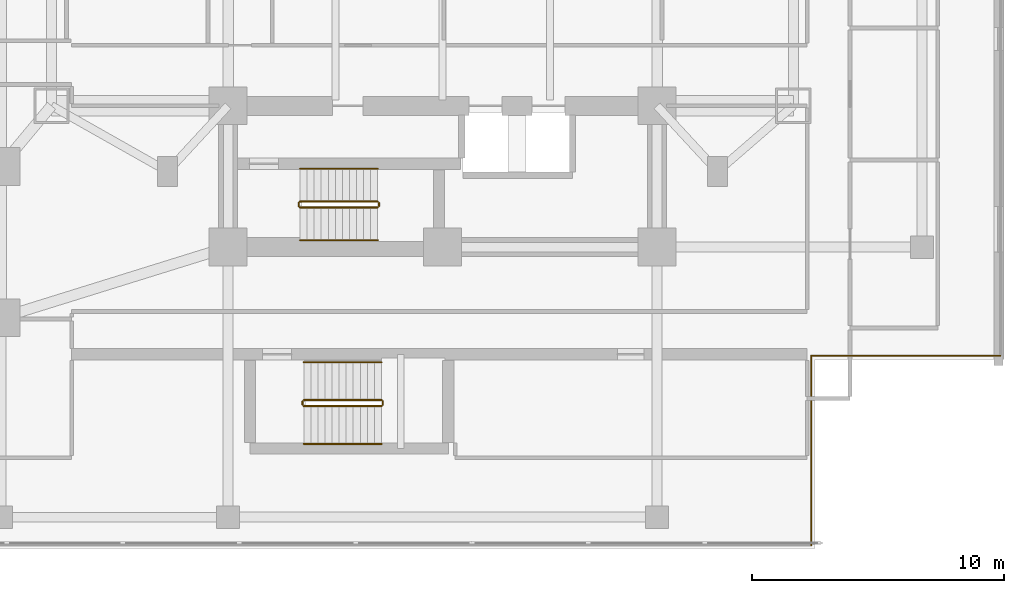
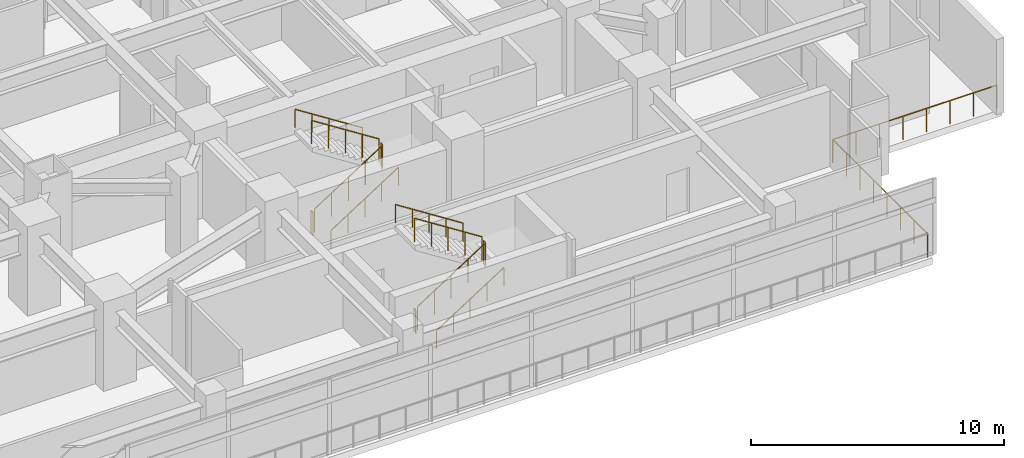
# One storey, part 24 of 26: 14 railings.
"""IFC4 building model written with IfcOpenShell, lengths in metres."""

from ifc_helpers import new_model, si_unit, direction, frame, origin, origin_2d, place, context, subcontext, project, spatial, circle, extrude, material, type_object, element, save


model = new_model("IFC4")

# Units and contexts
model_context = context("Model", 3, precision=1e-05, world=origin(), true_north=direction((0.0, 1.0)))
body_context = subcontext(model_context, "Body", "Model", "MODEL_VIEW")
ifc_project = project(units=[si_unit("LENGTHUNIT", "METRE"), si_unit("AREAUNIT", "SQUARE_METRE"), si_unit("VOLUMEUNIT", "CUBIC_METRE"), si_unit("PLANEANGLEUNIT", "RADIAN"), si_unit("MASSUNIT", "GRAM", prefix="KILO")], contexts=[model_context])

# Site, building, storey
site_placement = place(None, origin())
site = spatial("IfcSite", under=ifc_project, at=site_placement, CompositionType="ELEMENT")
building_placement = place(site_placement, origin())
building = spatial("IfcBuilding", under=site, at=building_placement, Name="Mirazonda Arch Towers", CompositionType="ELEMENT")
storey_placement = place(building_placement, frame((0.0, 0.0, 13.800048828125)))
storey = spatial("IfcBuildingStorey", under=building, at=storey_placement, Name="L03", CompositionType="ELEMENT", Elevation=13.800048828125)

# Railings
ifc_material = material(Name="Architectural Brushed Steel S355", Category="steel")
railing_type_1 = type_object("IfcRailingType", Name="GUARD-EXT-1150", PredefinedType="GUARDRAIL", material=ifc_material)
railing_1_placement = place(storey_placement, frame((91.110107421875, 3.389892578125, 0.0)))
element("IfcRailing", 1, at=railing_1_placement, inside=storey, type_object=railing_type_1, Name="L03 L03 Bridged Podium Perimeter Guard 02", PredefinedType="GUARDRAIL", context=body_context, shape_type="SweptSolid", body=[
    extrude(circle(Radius=0.02392578125, at=origin_2d()), frame((0.0, 0.0, 1.1259765625), z_axis=(0.0, 1.0, 0.0), x_axis=(-1.0, 0.0, 0.0)), (0.0, 0.0, 1.0), 7.5),
    extrude(circle(Radius=0.02099609375, at=origin_2d()), origin(), (0.0, 0.0, 1.0), 1.101806640625),
    extrude(circle(Radius=0.02099609375, at=origin_2d()), frame((0.0, 1.071533203125, 0.0)), (0.0, 0.0, 1.0), 1.101806640625),
    extrude(circle(Radius=0.02099609375, at=origin_2d()), frame((0.0, 2.142822265625, 0.0)), (0.0, 0.0, 1.0), 1.101806640625),
    extrude(circle(Radius=0.02099609375, at=origin_2d()), frame((0.0, 3.21435546875, 0.0)), (0.0, 0.0, 1.0), 1.101806640625),
    extrude(circle(Radius=0.02099609375, at=origin_2d()), frame((0.0, 4.28564453125, 0.0)), (0.0, 0.0, 1.0), 1.101806640625),
    extrude(circle(Radius=0.02099609375, at=origin_2d()), frame((0.0, 5.357177734375, 0.0)), (0.0, 0.0, 1.0), 1.101806640625),
    extrude(circle(Radius=0.02099609375, at=origin_2d()), frame((0.0, 6.428466796875, 0.0)), (0.0, 0.0, 1.0), 1.101806640625),
    extrude(circle(Radius=0.02099609375, at=origin_2d()), frame((0.0, 7.5, 0.0)), (0.0, 0.0, 1.0), 1.101806640625),
])
railing_2_placement = place(storey_placement, frame((91.110107421875, 10.889892578125, 0.0)))
element("IfcRailing", 2, at=railing_2_placement, inside=storey, type_object=railing_type_1, Name="L03 L03 Bridged Podium Perimeter Guard 03", PredefinedType="GUARDRAIL", context=body_context, shape_type="SweptSolid", body=[
    extrude(circle(Radius=0.02392578125, at=origin_2d()), frame((0.0, 0.0, 1.1259765625), z_axis=(1.0, 0.0, 0.0), x_axis=(0.0, 1.0, 0.0)), (0.0, 0.0, 1.0), 7.5),
    extrude(circle(Radius=0.02099609375, at=origin_2d()), origin(), (0.0, 0.0, 1.0), 1.101806640625),
    extrude(circle(Radius=0.02099609375, at=origin_2d()), frame((1.071533203125, 0.0, 0.0)), (0.0, 0.0, 1.0), 1.101806640625),
    extrude(circle(Radius=0.02099609375, at=origin_2d()), frame((2.142822265625, 0.0, 0.0)), (0.0, 0.0, 1.0), 1.101806640625),
    extrude(circle(Radius=0.02099609375, at=origin_2d()), frame((3.21435546875, 0.0, 0.0)), (0.0, 0.0, 1.0), 1.101806640625),
    extrude(circle(Radius=0.02099609375, at=origin_2d()), frame((4.28564453125, 0.0, 0.0)), (0.0, 0.0, 1.0), 1.101806640625),
    extrude(circle(Radius=0.02099609375, at=origin_2d()), frame((5.357177734375, 0.0, 0.0)), (0.0, 0.0, 1.0), 1.101806640625),
    extrude(circle(Radius=0.02099609375, at=origin_2d()), frame((6.428466796875, 0.0, 0.0)), (0.0, 0.0, 1.0), 1.101806640625),
    extrude(circle(Radius=0.02099609375, at=origin_2d()), frame((7.5, 0.0, 0.0)), (0.0, 0.0, 1.0), 1.101806640625),
])
railing_type_2 = type_object("IfcRailingType", Name="GUARD-STAIR-1120", PredefinedType="GUARDRAIL", material=ifc_material)
railing_3_placement = place(storey_placement, frame((70.85009765625, 16.77001953125, 0.17919921875)))
element("IfcRailing", 3, at=railing_3_placement, inside=storey, type_object=railing_type_2, Name="L03 ST-T2S stair guard 1", PredefinedType="GUARDRAIL", context=body_context, shape_type="SweptSolid", body=[
    extrude(circle(Radius=0.02392578125, at=origin_2d()), frame((0.0, 0.0, 1.1259765625), z_axis=(0.842319903074, 0.0, 0.538977903893), x_axis=(0.0, 1.0, 0.0)), (0.0, 0.0, 1.0), 3.65625),
    extrude(circle(Radius=0.02099609375, at=origin_2d()), origin(), (0.0, 0.0, 1.0), 1.101806640625),
    extrude(circle(Radius=0.02099609375, at=origin_2d()), frame((0.77001953125, 0.0, 0.49267578125)), (0.0, 0.0, 1.0), 1.101806640625),
    extrude(circle(Radius=0.02099609375, at=origin_2d()), frame((1.5400390625, 0.0, 0.9853515625)), (0.0, 0.0, 1.0), 1.101806640625),
    extrude(circle(Radius=0.02099609375, at=origin_2d()), frame((2.309814453125, 0.0, 1.47802734375)), (0.0, 0.0, 1.0), 1.101806640625),
    extrude(circle(Radius=0.02099609375, at=origin_2d()), frame((3.079833984375, 0.0, 1.970703125)), (0.0, 0.0, 1.0), 1.101806640625),
])
railing_4_placement = place(storey_placement, frame((73.97998046875, 16.820068359375, 2.14990234375)))
element("IfcRailing", 4, at=railing_4_placement, inside=storey, type_object=railing_type_2, Name="L03 ST-T2S stair guard 2", PredefinedType="GUARDRAIL", context=body_context, shape_type="SweptSolid", body=[
    extrude(circle(Radius=0.02392578125, at=origin_2d()), frame((0.0, 0.0, 1.1259765625), z_axis=(0.0, 1.0, 0.0), x_axis=(-1.0, 0.0, 0.0)), (0.0, 0.0, 1.0), 0.139892578125),
    extrude(circle(Radius=0.02099609375, at=origin_2d()), origin(), (0.0, 0.0, 1.0), 1.101806640625),
    extrude(circle(Radius=0.02099609375, at=origin_2d()), frame((0.0, 0.139892578125, 0.0)), (0.0, 0.0, 1.0), 1.101806640625),
])
railing_5_placement = place(storey_placement, frame((73.929931640625, 17.010009765625, 2.3291015625)))
element("IfcRailing", 5, at=railing_5_placement, inside=storey, type_object=railing_type_2, Name="L03 ST-T2S stair guard 3", PredefinedType="GUARDRAIL", context=body_context, shape_type="SweptSolid", body=[
    extrude(circle(Radius=0.02392578125, at=origin_2d()), frame((0.0, 0.0, 1.1259765625), z_axis=(-0.842289589211, 0.0, 0.539025275759), x_axis=(0.0, -1.0, 0.0)), (0.0, 0.0, 1.0), 3.656494140625),
    extrude(circle(Radius=0.02099609375, at=origin_2d()), origin(), (0.0, 0.0, 1.0), 1.101806640625),
    extrude(circle(Radius=0.02099609375, at=origin_2d()), frame((-0.77001953125, 0.0, 0.49267578125)), (0.0, 0.0, 1.0), 1.101806640625),
    extrude(circle(Radius=0.02099609375, at=origin_2d()), frame((-1.5400390625, 0.0, 0.9853515625)), (0.0, 0.0, 1.0), 1.101806640625),
    extrude(circle(Radius=0.02099609375, at=origin_2d()), frame((-2.309814453125, 0.0, 1.478271484375)), (0.0, 0.0, 1.0), 1.101806640625),
    extrude(circle(Radius=0.02099609375, at=origin_2d()), frame((-3.079833984375, 0.0, 1.970947265625)), (0.0, 0.0, 1.0), 1.101806640625),
])
railing_6_placement = place(storey_placement, frame((70.800048828125, 16.820068359375, 0.0)))
element("IfcRailing", 6, at=railing_6_placement, inside=storey, type_object=railing_type_2, Name="L03 ST-T2S stair guard 4", PredefinedType="GUARDRAIL", context=body_context, shape_type="SweptSolid", body=[
    extrude(circle(Radius=0.02392578125, at=origin_2d()), frame((0.0, 0.0, 1.1259765625), z_axis=(0.0, 1.0, 0.0), x_axis=(-1.0, 0.0, 0.0)), (0.0, 0.0, 1.0), 0.139892578125),
    extrude(circle(Radius=0.02099609375, at=origin_2d()), origin(), (0.0, 0.0, 1.0), 1.101806640625),
    extrude(circle(Radius=0.02099609375, at=origin_2d()), frame((0.0, 0.139892578125, 0.0)), (0.0, 0.0, 1.0), 1.101806640625),
])
railing_7_placement = place(storey_placement, frame((71.0, 8.89990234375, 0.17919921875)))
element("IfcRailing", 7, at=railing_7_placement, inside=storey, type_object=railing_type_2, Name="L03 ST-POD2 stair guard 1", PredefinedType="GUARDRAIL", context=body_context, shape_type="SweptSolid", body=[
    extrude(circle(Radius=0.02392578125, at=origin_2d()), frame((0.0, 0.0, 1.1259765625), z_axis=(0.842339298311, 0.0, 0.538947591627), x_axis=(0.0, 1.0, 0.0)), (0.0, 0.0, 1.0), 3.656494140625),
    extrude(circle(Radius=0.02099609375, at=origin_2d()), origin(), (0.0, 0.0, 1.0), 1.101806640625),
    extrude(circle(Radius=0.02099609375, at=origin_2d()), frame((0.77001953125, 0.0, 0.49267578125)), (0.0, 0.0, 1.0), 1.101806640625),
    extrude(circle(Radius=0.02099609375, at=origin_2d()), frame((1.5400390625, 0.0, 0.9853515625)), (0.0, 0.0, 1.0), 1.101806640625),
    extrude(circle(Radius=0.02099609375, at=origin_2d()), frame((2.31005859375, 0.0, 1.47802734375)), (0.0, 0.0, 1.0), 1.101806640625),
    extrude(circle(Radius=0.02099609375, at=origin_2d()), frame((3.080078125, 0.0, 1.970703125)), (0.0, 0.0, 1.0), 1.101806640625),
])
railing_8_placement = place(storey_placement, frame((74.1298828125, 8.949951171875, 2.14990234375)))
element("IfcRailing", 8, at=railing_8_placement, inside=storey, type_object=railing_type_2, Name="L03 ST-POD2 stair guard 2", PredefinedType="GUARDRAIL", context=body_context, shape_type="SweptSolid", body=[
    extrude(circle(Radius=0.02392578125, at=origin_2d()), frame((0.0, 0.0, 1.1259765625), z_axis=(0.0, 1.0, 0.0), x_axis=(-1.0, 0.0, 0.0)), (0.0, 0.0, 1.0), 0.14013671875),
    extrude(circle(Radius=0.02099609375, at=origin_2d()), origin(), (0.0, 0.0, 1.0), 1.101806640625),
    extrude(circle(Radius=0.02099609375, at=origin_2d()), frame((0.0, 0.14013671875, 0.0)), (0.0, 0.0, 1.0), 1.101806640625),
])
railing_9_placement = place(storey_placement, frame((74.080078125, 9.139892578125, 2.3291015625)))
element("IfcRailing", 9, at=railing_9_placement, inside=storey, type_object=railing_type_2, Name="L03 ST-POD2 stair guard 3", PredefinedType="GUARDRAIL", context=body_context, shape_type="SweptSolid", body=[
    extrude(circle(Radius=0.02392578125, at=origin_2d()), frame((0.0, 0.0, 1.1259765625), z_axis=(-0.842308987159, 0.0, 0.53899496301), x_axis=(0.0, -1.0, 0.0)), (0.0, 0.0, 1.0), 3.65673828125),
    extrude(circle(Radius=0.02099609375, at=origin_2d()), origin(), (0.0, 0.0, 1.0), 1.101806640625),
    extrude(circle(Radius=0.02099609375, at=origin_2d()), frame((-0.77001953125, 0.0, 0.49267578125)), (0.0, 0.0, 1.0), 1.101806640625),
    extrude(circle(Radius=0.02099609375, at=origin_2d()), frame((-1.5400390625, 0.0, 0.9853515625)), (0.0, 0.0, 1.0), 1.101806640625),
    extrude(circle(Radius=0.02099609375, at=origin_2d()), frame((-2.31005859375, 0.0, 1.478271484375)), (0.0, 0.0, 1.0), 1.101806640625),
    extrude(circle(Radius=0.02099609375, at=origin_2d()), frame((-3.080078125, 0.0, 1.970947265625)), (0.0, 0.0, 1.0), 1.101806640625),
])
railing_10_placement = place(storey_placement, frame((70.949951171875, 8.949951171875, 0.0)))
element("IfcRailing", 10, at=railing_10_placement, inside=storey, type_object=railing_type_2, Name="L03 ST-POD2 stair guard 4", PredefinedType="GUARDRAIL", context=body_context, shape_type="SweptSolid", body=[
    extrude(circle(Radius=0.02392578125, at=origin_2d()), frame((0.0, 0.0, 1.1259765625), z_axis=(0.0, 1.0, 0.0), x_axis=(-1.0, 0.0, 0.0)), (0.0, 0.0, 1.0), 0.14013671875),
    extrude(circle(Radius=0.02099609375, at=origin_2d()), origin(), (0.0, 0.0, 1.0), 1.101806640625),
    extrude(circle(Radius=0.02099609375, at=origin_2d()), frame((0.0, 0.14013671875, 0.0)), (0.0, 0.0, 1.0), 1.101806640625),
])
railing_type_3 = type_object("IfcRailingType", Name="HANDRAIL-915", PredefinedType="HANDRAIL", material=ifc_material)
railing_11_placement = place(storey_placement, frame((70.85009765625, 15.469970703125, 0.17919921875)))
element("IfcRailing", 11, at=railing_11_placement, inside=storey, type_object=railing_type_3, Name="L03 ST-T2S stair handrail 1", PredefinedType="HANDRAIL", context=body_context, shape_type="SweptSolid", body=[
    extrude(circle(Radius=0.02392578125, at=origin_2d()), frame((0.0, 0.0, 0.8759765625), z_axis=(0.842319903074, 0.0, 0.538977903893), x_axis=(0.0, 1.0, 0.0)), (0.0, 0.0, 1.0), 3.65625),
    extrude(circle(Radius=0.02099609375, at=origin_2d()), origin(), (0.0, 0.0, 1.0), 0.851806640625),
    extrude(circle(Radius=0.02099609375, at=origin_2d()), frame((0.77001953125, 0.0, 0.49267578125)), (0.0, 0.0, 1.0), 0.851806640625),
    extrude(circle(Radius=0.02099609375, at=origin_2d()), frame((1.5400390625, 0.0, 0.9853515625)), (0.0, 0.0, 1.0), 0.851806640625),
    extrude(circle(Radius=0.02099609375, at=origin_2d()), frame((2.309814453125, 0.0, 1.47802734375)), (0.0, 0.0, 1.0), 0.851806640625),
    extrude(circle(Radius=0.02099609375, at=origin_2d()), frame((3.079833984375, 0.0, 1.970703125)), (0.0, 0.0, 1.0), 0.851806640625),
])
railing_12_placement = place(storey_placement, frame((73.929931640625, 18.31005859375, 2.3291015625)))
element("IfcRailing", 12, at=railing_12_placement, inside=storey, type_object=railing_type_3, Name="L03 ST-T2S stair handrail 2", PredefinedType="HANDRAIL", context=body_context, shape_type="SweptSolid", body=[
    extrude(circle(Radius=0.02392578125, at=origin_2d()), frame((0.0, 0.0, 0.8759765625), z_axis=(-0.842289589211, 0.0, 0.539025275759), x_axis=(0.0, -1.0, 0.0)), (0.0, 0.0, 1.0), 3.656494140625),
    extrude(circle(Radius=0.02099609375, at=origin_2d()), origin(), (0.0, 0.0, 1.0), 0.851806640625),
    extrude(circle(Radius=0.02099609375, at=origin_2d()), frame((-0.77001953125, 0.0, 0.49267578125)), (0.0, 0.0, 1.0), 0.851806640625),
    extrude(circle(Radius=0.02099609375, at=origin_2d()), frame((-1.5400390625, 0.0, 0.9853515625)), (0.0, 0.0, 1.0), 0.851806640625),
    extrude(circle(Radius=0.02099609375, at=origin_2d()), frame((-2.309814453125, 0.0, 1.478271484375)), (0.0, 0.0, 1.0), 0.851806640625),
    extrude(circle(Radius=0.02099609375, at=origin_2d()), frame((-3.079833984375, 0.0, 1.970947265625)), (0.0, 0.0, 1.0), 0.851806640625),
])
railing_13_placement = place(storey_placement, frame((71.0, 7.39990234375, 0.17919921875)))
element("IfcRailing", 13, at=railing_13_placement, inside=storey, type_object=railing_type_3, Name="L03 ST-POD2 stair handrail 1", PredefinedType="HANDRAIL", context=body_context, shape_type="SweptSolid", body=[
    extrude(circle(Radius=0.02392578125, at=origin_2d()), frame((0.0, 0.0, 0.8759765625), z_axis=(0.842339298311, 0.0, 0.538947591627), x_axis=(0.0, 1.0, 0.0)), (0.0, 0.0, 1.0), 3.656494140625),
    extrude(circle(Radius=0.02099609375, at=origin_2d()), origin(), (0.0, 0.0, 1.0), 0.851806640625),
    extrude(circle(Radius=0.02099609375, at=origin_2d()), frame((0.77001953125, 0.0, 0.49267578125)), (0.0, 0.0, 1.0), 0.851806640625),
    extrude(circle(Radius=0.02099609375, at=origin_2d()), frame((1.5400390625, 0.0, 0.9853515625)), (0.0, 0.0, 1.0), 0.851806640625),
    extrude(circle(Radius=0.02099609375, at=origin_2d()), frame((2.31005859375, 0.0, 1.47802734375)), (0.0, 0.0, 1.0), 0.851806640625),
    extrude(circle(Radius=0.02099609375, at=origin_2d()), frame((3.080078125, 0.0, 1.970703125)), (0.0, 0.0, 1.0), 0.851806640625),
])
railing_14_placement = place(storey_placement, frame((74.080078125, 10.639892578125, 2.3291015625)))
element("IfcRailing", 14, at=railing_14_placement, inside=storey, type_object=railing_type_3, Name="L03 ST-POD2 stair handrail 2", PredefinedType="HANDRAIL", context=body_context, shape_type="SweptSolid", body=[
    extrude(circle(Radius=0.02392578125, at=origin_2d()), frame((0.0, 0.0, 0.8759765625), z_axis=(-0.842308987159, 0.0, 0.53899496301), x_axis=(0.0, -1.0, 0.0)), (0.0, 0.0, 1.0), 3.65673828125),
    extrude(circle(Radius=0.02099609375, at=origin_2d()), origin(), (0.0, 0.0, 1.0), 0.851806640625),
    extrude(circle(Radius=0.02099609375, at=origin_2d()), frame((-0.77001953125, 0.0, 0.49267578125)), (0.0, 0.0, 1.0), 0.851806640625),
    extrude(circle(Radius=0.02099609375, at=origin_2d()), frame((-1.5400390625, 0.0, 0.9853515625)), (0.0, 0.0, 1.0), 0.851806640625),
    extrude(circle(Radius=0.02099609375, at=origin_2d()), frame((-2.31005859375, 0.0, 1.478271484375)), (0.0, 0.0, 1.0), 0.851806640625),
    extrude(circle(Radius=0.02099609375, at=origin_2d()), frame((-3.080078125, 0.0, 1.970947265625)), (0.0, 0.0, 1.0), 0.851806640625),
])

save(model, "model.ifc")
